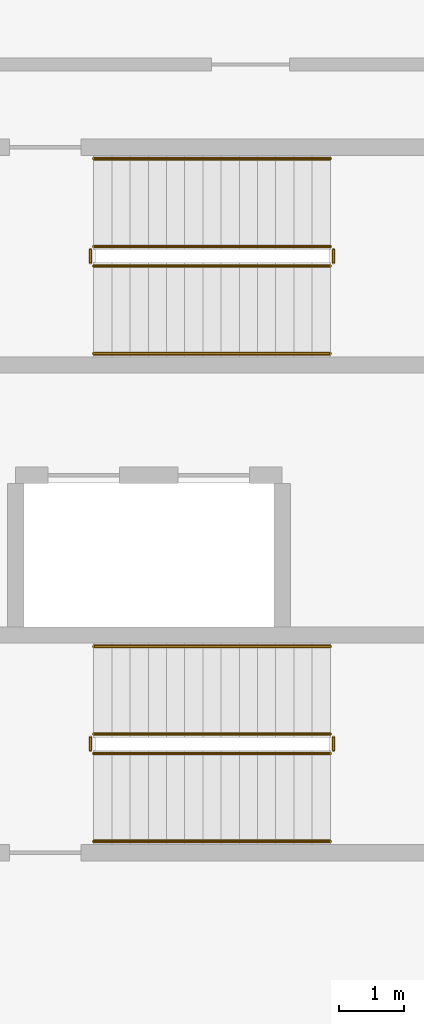
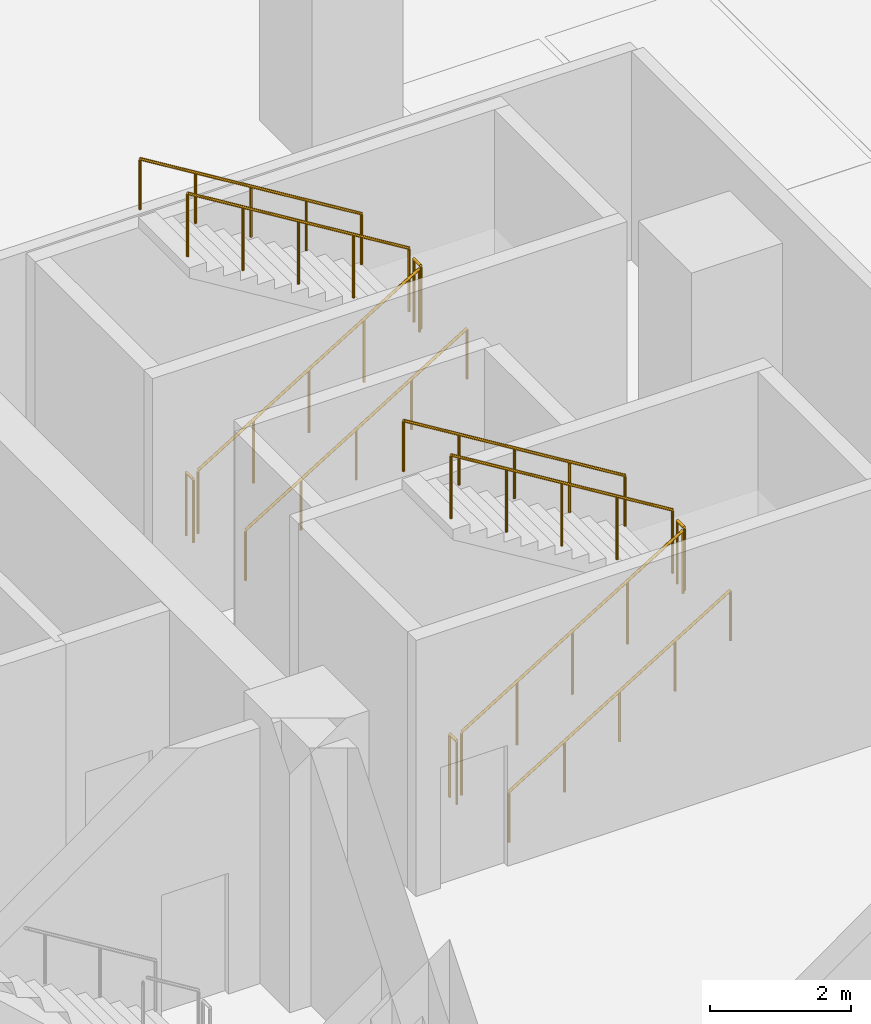
# One storey, part 7 of 8: 12 railings.
"""IFC4 building model written with IfcOpenShell, lengths in metres."""

from ifc_helpers import new_model, si_unit, direction, frame, origin, origin_2d, place, context, subcontext, project, spatial, circle, extrude, material, type_object, element, save


model = new_model("IFC4")

# Units and contexts
model_context = context("Model", 3, precision=1e-05, world=origin(), true_north=direction((0.0, 1.0)))
body_context = subcontext(model_context, "Body", "Model", "MODEL_VIEW")
ifc_project = project(units=[si_unit("LENGTHUNIT", "METRE"), si_unit("AREAUNIT", "SQUARE_METRE"), si_unit("VOLUMEUNIT", "CUBIC_METRE"), si_unit("PLANEANGLEUNIT", "RADIAN"), si_unit("MASSUNIT", "GRAM", prefix="KILO")], contexts=[model_context])

# Site, building, storey
site_placement = place(None, origin())
site = spatial("IfcSite", under=ifc_project, at=site_placement, CompositionType="ELEMENT")
building_placement = place(site_placement, origin())
building = spatial("IfcBuilding", under=site, at=building_placement, Name="Solnavia Interchange Tower", CompositionType="ELEMENT")
storey_placement = place(building_placement, frame((0.0, 0.0, -4.800048828125)))
storey = spatial("IfcBuildingStorey", under=building, at=storey_placement, Name="B01", CompositionType="ELEMENT", Elevation=-4.800048828125)

# Railings
ifc_material_1 = material(Name="Painted Steel Balustrade", Category="steel")
railing_type_1 = type_object("IfcRailingType", Name="Railing-StairGuard-1100", PredefinedType="GUARDRAIL", material=ifc_material_1)
railing_1_placement = place(storey_placement, frame((36.449951171875, 17.0, 0.17138671875)))
element("IfcRailing", 1, at=railing_1_placement, inside=storey, type_object=railing_type_1, Name="B01 ST-P1 stair guard 1", PredefinedType="GUARDRAIL", context=body_context, shape_type="SweptSolid", body=[
    extrude(circle(Radius=0.02392578125, at=origin_2d()), frame((0.0, 0.0, 1.09619140625), z_axis=(0.852840387347, 0.0, 0.522171689878), x_axis=(0.0, 1.0, 0.0)), (0.0, 0.0, 1.0), 4.268310546875),
    extrude(circle(Radius=0.02099609375, at=origin_2d()), origin(), (0.0, 0.0, 1.0), 1.072021484375),
    extrude(circle(Radius=0.02099609375, at=origin_2d()), frame((0.91015625, 0.0, 0.55712890625)), (0.0, 0.0, 1.0), 1.072021484375),
    extrude(circle(Radius=0.02099609375, at=origin_2d()), frame((1.820068359375, 0.0, 1.1142578125)), (0.0, 0.0, 1.0), 1.072021484375),
    extrude(circle(Radius=0.02099609375, at=origin_2d()), frame((2.72998046875, 0.0, 1.671630859375)), (0.0, 0.0, 1.0), 1.072021484375),
    extrude(circle(Radius=0.02099609375, at=origin_2d()), frame((3.64013671875, 0.0, 2.228759765625)), (0.0, 0.0, 1.0), 1.072021484375),
])
railing_2_placement = place(storey_placement, frame((40.139892578125, 17.050048828125, 2.400146484375)))
element("IfcRailing", 2, at=railing_2_placement, inside=storey, type_object=railing_type_1, Name="B01 ST-P1 stair guard 2", PredefinedType="GUARDRAIL", context=body_context, shape_type="SweptSolid", body=[
    extrude(circle(Radius=0.02392578125, at=origin_2d()), frame((0.0, 0.0, 1.09619140625), z_axis=(0.0, 1.0, 0.0), x_axis=(-1.0, 0.0, 0.0)), (0.0, 0.0, 1.0), 0.199951171875),
    extrude(circle(Radius=0.02099609375, at=origin_2d()), origin(), (0.0, 0.0, 1.0), 1.072021484375),
    extrude(circle(Radius=0.02099609375, at=origin_2d()), frame((0.0, 0.199951171875, 0.0)), (0.0, 0.0, 1.0), 1.072021484375),
])
railing_3_placement = place(storey_placement, frame((40.090087890625, 17.300048828125, 2.571533203125)))
element("IfcRailing", 3, at=railing_3_placement, inside=storey, type_object=railing_type_1, Name="B01 ST-P1 stair guard 3", PredefinedType="GUARDRAIL", context=body_context, shape_type="SweptSolid", body=[
    extrude(circle(Radius=0.02392578125, at=origin_2d()), frame((0.0, 0.0, 1.09619140625), z_axis=(-0.852865859571, 0.0, 0.52213008492), x_axis=(0.0, -1.0, 0.0)), (0.0, 0.0, 1.0), 4.26806640625),
    extrude(circle(Radius=0.02099609375, at=origin_2d()), origin(), (0.0, 0.0, 1.0), 1.072021484375),
    extrude(circle(Radius=0.02099609375, at=origin_2d()), frame((-0.91015625, 0.0, 0.55712890625)), (0.0, 0.0, 1.0), 1.072021484375),
    extrude(circle(Radius=0.02099609375, at=origin_2d()), frame((-1.820068359375, 0.0, 1.1142578125)), (0.0, 0.0, 1.0), 1.072021484375),
    extrude(circle(Radius=0.02099609375, at=origin_2d()), frame((-2.72998046875, 0.0, 1.67138671875)), (0.0, 0.0, 1.0), 1.072021484375),
    extrude(circle(Radius=0.02099609375, at=origin_2d()), frame((-3.64013671875, 0.0, 2.228515625)), (0.0, 0.0, 1.0), 1.072021484375),
])
railing_4_placement = place(storey_placement, frame((36.39990234375, 17.050048828125, 0.0)))
element("IfcRailing", 4, at=railing_4_placement, inside=storey, type_object=railing_type_1, Name="B01 ST-P1 stair guard 4", PredefinedType="GUARDRAIL", context=body_context, shape_type="SweptSolid", body=[
    extrude(circle(Radius=0.02392578125, at=origin_2d()), frame((0.0, 0.0, 1.09619140625), z_axis=(0.0, 1.0, 0.0), x_axis=(-1.0, 0.0, 0.0)), (0.0, 0.0, 1.0), 0.199951171875),
    extrude(circle(Radius=0.02099609375, at=origin_2d()), origin(), (0.0, 0.0, 1.0), 1.072021484375),
    extrude(circle(Radius=0.02099609375, at=origin_2d()), frame((0.0, 0.199951171875, 0.0)), (0.0, 0.0, 1.0), 1.072021484375),
])
railing_5_placement = place(storey_placement, frame((36.449951171875, 24.5, 0.17138671875)))
element("IfcRailing", 5, at=railing_5_placement, inside=storey, type_object=railing_type_1, Name="B01 ST-P2 stair guard 1", PredefinedType="GUARDRAIL", context=body_context, shape_type="SweptSolid", body=[
    extrude(circle(Radius=0.02392578125, at=origin_2d()), frame((0.0, 0.0, 1.09619140625), z_axis=(0.852840387347, 0.0, 0.522171689878), x_axis=(0.0, 1.0, 0.0)), (0.0, 0.0, 1.0), 4.268310546875),
    extrude(circle(Radius=0.02099609375, at=origin_2d()), origin(), (0.0, 0.0, 1.0), 1.072021484375),
    extrude(circle(Radius=0.02099609375, at=origin_2d()), frame((0.91015625, 0.0, 0.55712890625)), (0.0, 0.0, 1.0), 1.072021484375),
    extrude(circle(Radius=0.02099609375, at=origin_2d()), frame((1.820068359375, 0.0, 1.1142578125)), (0.0, 0.0, 1.0), 1.072021484375),
    extrude(circle(Radius=0.02099609375, at=origin_2d()), frame((2.72998046875, 0.0, 1.671630859375)), (0.0, 0.0, 1.0), 1.072021484375),
    extrude(circle(Radius=0.02099609375, at=origin_2d()), frame((3.64013671875, 0.0, 2.228759765625)), (0.0, 0.0, 1.0), 1.072021484375),
])
railing_6_placement = place(storey_placement, frame((40.139892578125, 24.550048828125, 2.400146484375)))
element("IfcRailing", 6, at=railing_6_placement, inside=storey, type_object=railing_type_1, Name="B01 ST-P2 stair guard 2", PredefinedType="GUARDRAIL", context=body_context, shape_type="SweptSolid", body=[
    extrude(circle(Radius=0.02392578125, at=origin_2d()), frame((0.0, 0.0, 1.09619140625), z_axis=(0.0, 1.0, 0.0), x_axis=(-1.0, 0.0, 0.0)), (0.0, 0.0, 1.0), 0.199951171875),
    extrude(circle(Radius=0.02099609375, at=origin_2d()), origin(), (0.0, 0.0, 1.0), 1.072021484375),
    extrude(circle(Radius=0.02099609375, at=origin_2d()), frame((0.0, 0.199951171875, 0.0)), (0.0, 0.0, 1.0), 1.072021484375),
])
railing_7_placement = place(storey_placement, frame((40.090087890625, 24.800048828125, 2.571533203125)))
element("IfcRailing", 7, at=railing_7_placement, inside=storey, type_object=railing_type_1, Name="B01 ST-P2 stair guard 3", PredefinedType="GUARDRAIL", context=body_context, shape_type="SweptSolid", body=[
    extrude(circle(Radius=0.02392578125, at=origin_2d()), frame((0.0, 0.0, 1.09619140625), z_axis=(-0.852865859571, 0.0, 0.52213008492), x_axis=(0.0, -1.0, 0.0)), (0.0, 0.0, 1.0), 4.26806640625),
    extrude(circle(Radius=0.02099609375, at=origin_2d()), origin(), (0.0, 0.0, 1.0), 1.072021484375),
    extrude(circle(Radius=0.02099609375, at=origin_2d()), frame((-0.91015625, 0.0, 0.55712890625)), (0.0, 0.0, 1.0), 1.072021484375),
    extrude(circle(Radius=0.02099609375, at=origin_2d()), frame((-1.820068359375, 0.0, 1.1142578125)), (0.0, 0.0, 1.0), 1.072021484375),
    extrude(circle(Radius=0.02099609375, at=origin_2d()), frame((-2.72998046875, 0.0, 1.67138671875)), (0.0, 0.0, 1.0), 1.072021484375),
    extrude(circle(Radius=0.02099609375, at=origin_2d()), frame((-3.64013671875, 0.0, 2.228515625)), (0.0, 0.0, 1.0), 1.072021484375),
])
railing_8_placement = place(storey_placement, frame((36.39990234375, 24.550048828125, 0.0)))
element("IfcRailing", 8, at=railing_8_placement, inside=storey, type_object=railing_type_1, Name="B01 ST-P2 stair guard 4", PredefinedType="GUARDRAIL", context=body_context, shape_type="SweptSolid", body=[
    extrude(circle(Radius=0.02392578125, at=origin_2d()), frame((0.0, 0.0, 1.09619140625), z_axis=(0.0, 1.0, 0.0), x_axis=(-1.0, 0.0, 0.0)), (0.0, 0.0, 1.0), 0.199951171875),
    extrude(circle(Radius=0.02099609375, at=origin_2d()), origin(), (0.0, 0.0, 1.0), 1.072021484375),
    extrude(circle(Radius=0.02099609375, at=origin_2d()), frame((0.0, 0.199951171875, 0.0)), (0.0, 0.0, 1.0), 1.072021484375),
])
ifc_material_2 = material(Name="Brushed Stainless Steel", Category="steel")
railing_type_2 = type_object("IfcRailingType", Name="Railing-StairHandrail-900", PredefinedType="HANDRAIL", material=ifc_material_2)
railing_9_placement = place(storey_placement, frame((36.449951171875, 15.64990234375, 0.17138671875)))
element("IfcRailing", 9, at=railing_9_placement, inside=storey, type_object=railing_type_2, Name="B01 ST-P1 stair handrail 1", PredefinedType="HANDRAIL", context=body_context, shape_type="SweptSolid", body=[
    extrude(circle(Radius=0.02392578125, at=origin_2d()), frame((0.0, 0.0, 0.8759765625), z_axis=(0.852840387347, 0.0, 0.522171689878), x_axis=(0.0, 1.0, 0.0)), (0.0, 0.0, 1.0), 4.268310546875),
    extrude(circle(Radius=0.02099609375, at=origin_2d()), origin(), (0.0, 0.0, 1.0), 0.851806640625),
    extrude(circle(Radius=0.02099609375, at=origin_2d()), frame((0.91015625, 0.0, 0.55712890625)), (0.0, 0.0, 1.0), 0.851806640625),
    extrude(circle(Radius=0.02099609375, at=origin_2d()), frame((1.820068359375, 0.0, 1.1142578125)), (0.0, 0.0, 1.0), 0.851806640625),
    extrude(circle(Radius=0.02099609375, at=origin_2d()), frame((2.72998046875, 0.0, 1.671630859375)), (0.0, 0.0, 1.0), 0.851806640625),
    extrude(circle(Radius=0.02099609375, at=origin_2d()), frame((3.64013671875, 0.0, 2.228759765625)), (0.0, 0.0, 1.0), 0.851806640625),
])
railing_10_placement = place(storey_placement, frame((40.090087890625, 18.64990234375, 2.571533203125)))
element("IfcRailing", 10, at=railing_10_placement, inside=storey, type_object=railing_type_2, Name="B01 ST-P1 stair handrail 2", PredefinedType="HANDRAIL", context=body_context, shape_type="SweptSolid", body=[
    extrude(circle(Radius=0.02392578125, at=origin_2d()), frame((0.0, 0.0, 0.8759765625), z_axis=(-0.852865859571, 0.0, 0.52213008492), x_axis=(0.0, -1.0, 0.0)), (0.0, 0.0, 1.0), 4.26806640625),
    extrude(circle(Radius=0.02099609375, at=origin_2d()), origin(), (0.0, 0.0, 1.0), 0.851806640625),
    extrude(circle(Radius=0.02099609375, at=origin_2d()), frame((-0.91015625, 0.0, 0.55712890625)), (0.0, 0.0, 1.0), 0.851806640625),
    extrude(circle(Radius=0.02099609375, at=origin_2d()), frame((-1.820068359375, 0.0, 1.1142578125)), (0.0, 0.0, 1.0), 0.851806640625),
    extrude(circle(Radius=0.02099609375, at=origin_2d()), frame((-2.72998046875, 0.0, 1.67138671875)), (0.0, 0.0, 1.0), 0.851806640625),
    extrude(circle(Radius=0.02099609375, at=origin_2d()), frame((-3.64013671875, 0.0, 2.228515625)), (0.0, 0.0, 1.0), 0.851806640625),
])
railing_11_placement = place(storey_placement, frame((36.449951171875, 23.14990234375, 0.17138671875)))
element("IfcRailing", 11, at=railing_11_placement, inside=storey, type_object=railing_type_2, Name="B01 ST-P2 stair handrail 1", PredefinedType="HANDRAIL", context=body_context, shape_type="SweptSolid", body=[
    extrude(circle(Radius=0.02392578125, at=origin_2d()), frame((0.0, 0.0, 0.8759765625), z_axis=(0.852840387347, 0.0, 0.522171689878), x_axis=(0.0, 1.0, 0.0)), (0.0, 0.0, 1.0), 4.268310546875),
    extrude(circle(Radius=0.02099609375, at=origin_2d()), origin(), (0.0, 0.0, 1.0), 0.851806640625),
    extrude(circle(Radius=0.02099609375, at=origin_2d()), frame((0.91015625, 0.0, 0.55712890625)), (0.0, 0.0, 1.0), 0.851806640625),
    extrude(circle(Radius=0.02099609375, at=origin_2d()), frame((1.820068359375, 0.0, 1.1142578125)), (0.0, 0.0, 1.0), 0.851806640625),
    extrude(circle(Radius=0.02099609375, at=origin_2d()), frame((2.72998046875, 0.0, 1.671630859375)), (0.0, 0.0, 1.0), 0.851806640625),
    extrude(circle(Radius=0.02099609375, at=origin_2d()), frame((3.64013671875, 0.0, 2.228759765625)), (0.0, 0.0, 1.0), 0.851806640625),
])
railing_12_placement = place(storey_placement, frame((40.090087890625, 26.14990234375, 2.571533203125)))
element("IfcRailing", 12, at=railing_12_placement, inside=storey, type_object=railing_type_2, Name="B01 ST-P2 stair handrail 2", PredefinedType="HANDRAIL", context=body_context, shape_type="SweptSolid", body=[
    extrude(circle(Radius=0.02392578125, at=origin_2d()), frame((0.0, 0.0, 0.8759765625), z_axis=(-0.852865859571, 0.0, 0.52213008492), x_axis=(0.0, -1.0, 0.0)), (0.0, 0.0, 1.0), 4.26806640625),
    extrude(circle(Radius=0.02099609375, at=origin_2d()), origin(), (0.0, 0.0, 1.0), 0.851806640625),
    extrude(circle(Radius=0.02099609375, at=origin_2d()), frame((-0.91015625, 0.0, 0.55712890625)), (0.0, 0.0, 1.0), 0.851806640625),
    extrude(circle(Radius=0.02099609375, at=origin_2d()), frame((-1.820068359375, 0.0, 1.1142578125)), (0.0, 0.0, 1.0), 0.851806640625),
    extrude(circle(Radius=0.02099609375, at=origin_2d()), frame((-2.72998046875, 0.0, 1.67138671875)), (0.0, 0.0, 1.0), 0.851806640625),
    extrude(circle(Radius=0.02099609375, at=origin_2d()), frame((-3.64013671875, 0.0, 2.228515625)), (0.0, 0.0, 1.0), 0.851806640625),
])

save(model, "model.ifc")
